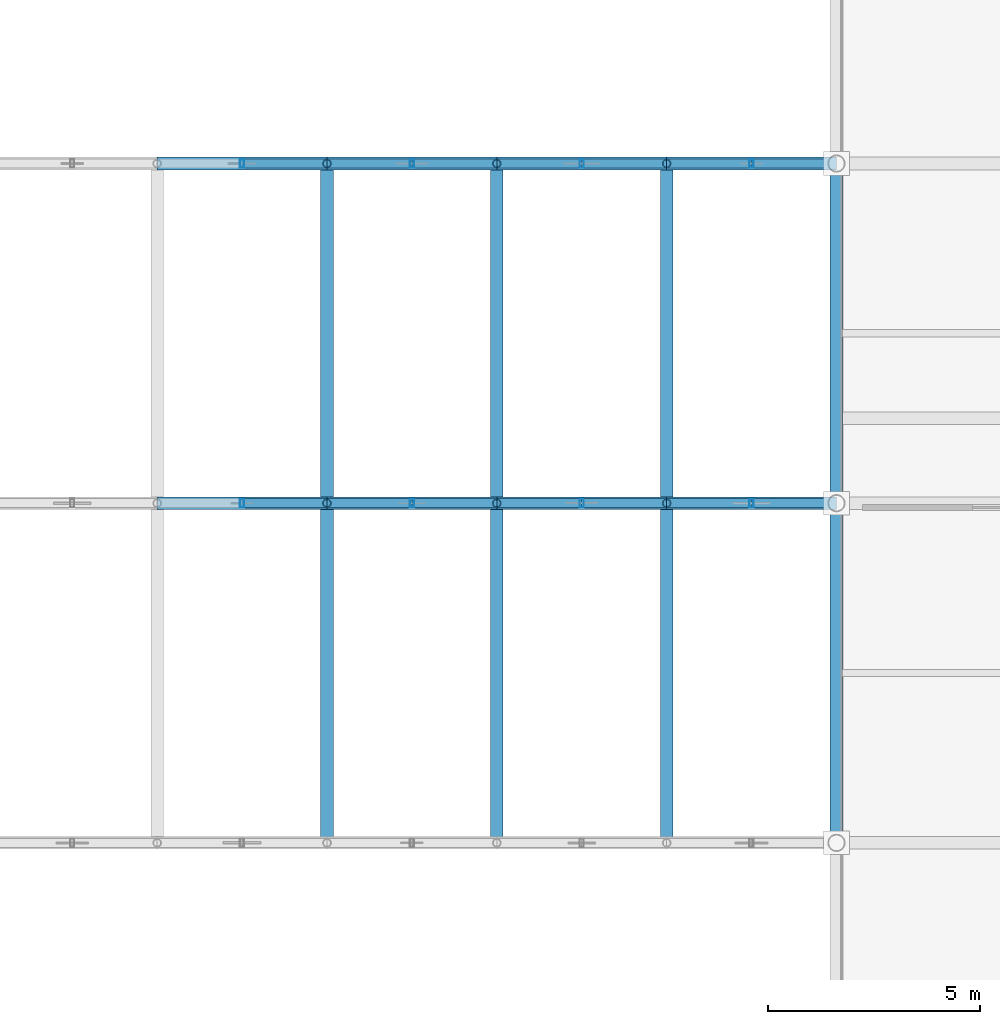
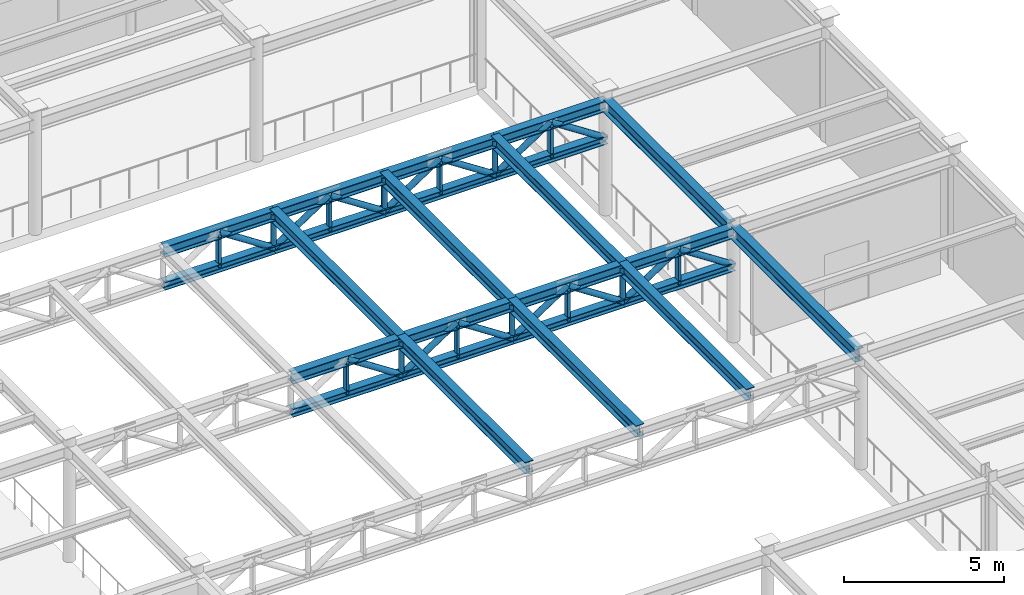
# One storey, part 16 of 46: 44 members, 8 beams.
"""IFC4 building model written with IfcOpenShell, lengths in metres."""

from ifc_helpers import new_model, si_unit, direction, frame, origin, origin_2d, place, context, subcontext, project, spatial, hollow_rectangle, hollow_circle, i_section, extrude, material, material_profile, profile_set, type_object, element, save


model = new_model("IFC4")

# Units and contexts
model_context = context("Model", 3, precision=1e-05, world=origin(), true_north=direction((0.0, 1.0)))
body_context = subcontext(model_context, "Body", "Model", "MODEL_VIEW")
ifc_project = project(units=[si_unit("LENGTHUNIT", "METRE"), si_unit("AREAUNIT", "SQUARE_METRE"), si_unit("VOLUMEUNIT", "CUBIC_METRE"), si_unit("PLANEANGLEUNIT", "RADIAN"), si_unit("MASSUNIT", "GRAM", prefix="KILO")], contexts=[model_context])

# Site, building, storey
site_placement = place(None, origin())
site = spatial("IfcSite", under=ifc_project, at=site_placement, CompositionType="ELEMENT")
building_placement = place(site_placement, origin())
building = spatial("IfcBuilding", under=site, at=building_placement, Name="Tazarka Park Arena", CompositionType="ELEMENT")
storey_placement = place(building_placement, frame((0.0, 0.0, 10.199951171875)))
storey = spatial("IfcBuildingStorey", under=building, at=storey_placement, Name="L02", CompositionType="ELEMENT", Elevation=10.199951171875)

# Beams
ifc_material_1 = material(Name="Steel S355", Category="steel")
ifc_material_profile_1 = material_profile(ifc_material_1, i_section(OverallWidth=0.300048828125, OverallDepth=0.43994140625, WebThickness=0.011474609375, FlangeThickness=0.02099609375, FilletRadius=0.027099609375, at=origin_2d()), Name="Steel S355")
ifc_profile_set_1 = profile_set([ifc_material_profile_1], Name="Steel S355")
beam_type_1 = type_object("IfcBeamType", Name="BM-B-16", PredefinedType="BEAM", material=ifc_profile_set_1)
for number, where, z_axis, x_axis, name in (
    (1, (164.0, 72.0, 4.16015625), (0.0, 1.0, 0.0), (-1.0, 0.0, 0.0), "WTPR-1-3"),
    (2, (168.0, 72.0, 4.16015625), (0.0, 1.0, 0.0), (-1.0, 0.0, 0.0), "WTPR-1-4"),
    (3, (172.0, 72.0, 4.16015625), (0.0, 1.0, 0.0), (-1.0, 0.0, 0.0), "WTPR-1-5"),
    (4, (164.0, 80.0, 4.16015625), (0.0, 1.0, 0.0), (-1.0, 0.0, 0.0), "WTPR-2-3"),
    (5, (168.0, 80.0, 4.16015625), (0.0, 1.0, 0.0), (-1.0, 0.0, 0.0), "WTPR-2-4"),
    (6, (172.0, 80.0, 4.16015625), (0.0, 1.0, 0.0), (-1.0, 0.0, 0.0), "WTPR-2-5"),
):
    element("IfcBeam", number, at=place(storey_placement, frame(where, z_axis=z_axis, x_axis=x_axis)), inside=storey, type_object=beam_type_1, Name=name, PredefinedType="BEAM", context=body_context, shape_type="SweptSolid", body=[
        extrude(i_section(OverallWidth=0.300048828125, OverallDepth=0.43994140625, WebThickness=0.011474609375, FlangeThickness=0.02099609375, FilletRadius=0.027099609375, at=origin_2d()), origin(), (0.0, 0.0, 1.0), 8.0),
    ])
ifc_material_2 = material(Name="Steel S355", Category="steel")
ifc_material_profile_2 = material_profile(ifc_material_2, i_section(OverallWidth=0.300048828125, OverallDepth=0.489990234375, WebThickness=0.011962890625, FlangeThickness=0.02294921875, FilletRadius=0.027099609375, at=origin_2d()), Name="Steel S355")
ifc_profile_set_2 = profile_set([ifc_material_profile_2], Name="Steel S355")
beam_type_2 = type_object("IfcBeamType", Name="BM-SP-02", PredefinedType="SPANDREL", material=ifc_profile_set_2)
for number, where, z_axis, x_axis, name in (
    (7, (176.0, 72.1201171875, 4.175048828125), (0.0, 1.0, 0.0), (-1.0, 0.0, 0.0), "GYM-L02-22-09"),
    (8, (176.0, 80.1201171875, 4.175048828125), (0.0, 1.0, 0.0), (-1.0, 0.0, 0.0), "GYM-L02-22-10"),
):
    element("IfcBeam", number, at=place(storey_placement, frame(where, z_axis=z_axis, x_axis=x_axis)), inside=storey, type_object=beam_type_2, Name=name, PredefinedType="SPANDREL", context=body_context, shape_type="SweptSolid", body=[
        extrude(i_section(OverallWidth=0.300048828125, OverallDepth=0.489990234375, WebThickness=0.011962890625, FlangeThickness=0.02294921875, FilletRadius=0.027099609375, at=origin_2d()), origin(), (0.0, 0.0, 1.0), 7.759765625),
    ])

# Members
ifc_material_3 = material(Name="Steel S355", Category="steel")
ifc_material_profile_3 = material_profile(ifc_material_3, hollow_circle(Radius=0.109619140625, WallThickness=0.010009765625, at=origin_2d()), Name="Steel S355")
ifc_profile_set_3 = profile_set([ifc_material_profile_3], Name="Steel S355")
member_type_1 = type_object("IfcMemberType", Name="MEM-BR-02", PredefinedType="BRACE", material=ifc_profile_set_3)
for number, where, z_axis, x_axis, name in (
    (9, (162.0, 80.0, 4.16015625), (0.836516005166, 0.0, -0.547942490688), (0.0, 1.0, 0.0), "WTD-B-2-2"),
    (10, (164.0, 80.0, 2.85009765625), (0.836516005166, 0.0, 0.547942490688), (0.0, 1.0, 0.0), "WTD-A-2-3"),
    (11, (166.0, 80.0, 4.16015625), (0.836516005166, 0.0, -0.547942490688), (0.0, 1.0, 0.0), "WTD-B-2-3"),
    (12, (168.0, 80.0, 2.85009765625), (0.836516005166, 0.0, 0.547942490688), (0.0, 1.0, 0.0), "WTD-A-2-4"),
    (13, (170.0, 80.0, 4.16015625), (0.836516005166, 0.0, -0.547942490688), (0.0, 1.0, 0.0), "WTD-B-2-4"),
    (14, (172.0, 80.0, 2.85009765625), (0.836516005166, 0.0, 0.547942490688), (0.0, 1.0, 0.0), "WTD-A-2-5"),
    (15, (174.0, 80.0, 4.16015625), (0.836516005166, 0.0, -0.547942490688), (0.0, 1.0, 0.0), "WTD-B-2-5"),
    (16, (162.0, 88.0, 4.16015625), (0.836516005166, 0.0, -0.547942490688), (0.0, 1.0, 0.0), "WTD-B-3-2"),
    (17, (164.0, 88.0, 2.85009765625), (0.836516005166, 0.0, 0.547942490688), (0.0, 1.0, 0.0), "WTD-A-3-3"),
    (18, (166.0, 88.0, 4.16015625), (0.836516005166, 0.0, -0.547942490688), (0.0, 1.0, 0.0), "WTD-B-3-3"),
    (19, (168.0, 88.0, 2.85009765625), (0.836516005166, 0.0, 0.547942490688), (0.0, 1.0, 0.0), "WTD-A-3-4"),
    (20, (170.0, 88.0, 4.16015625), (0.836516005166, 0.0, -0.547942490688), (0.0, 1.0, 0.0), "WTD-B-3-4"),
    (21, (172.0, 88.0, 2.85009765625), (0.836516005166, 0.0, 0.547942490688), (0.0, 1.0, 0.0), "WTD-A-3-5"),
    (22, (174.0, 88.0, 4.16015625), (0.836516005166, 0.0, -0.547942490688), (0.0, 1.0, 0.0), "WTD-B-3-5"),
):
    element("IfcMember", number, at=place(storey_placement, frame(where, z_axis=z_axis, x_axis=x_axis)), inside=storey, type_object=member_type_1, Name=name, PredefinedType="BRACE", context=body_context, shape_type="SweptSolid", body=[
        extrude(hollow_circle(Radius=0.109619140625, WallThickness=0.010009765625, at=origin_2d()), origin(), (0.0, 0.0, 1.0), 2.390869140625),
    ])
ifc_material_4 = material(Name="Steel S355", Category="steel")
ifc_material_profile_4 = material_profile(ifc_material_4, i_section(OverallWidth=0.300048828125, OverallDepth=0.300048828125, WebThickness=0.010986328125, FlangeThickness=0.01904296875, FilletRadius=0.027099609375, at=origin_2d()), Name="Steel S355")
ifc_profile_set_4 = profile_set([ifc_material_profile_4], Name="Steel S355")
member_type_2 = type_object("IfcMemberType", Name="MEM-CH-01", PredefinedType="CHORD", material=ifc_profile_set_4)
for number, where, z_axis, x_axis, name in (
    (23, (160.0, 80.0, 2.85009765625), (1.0, 0.0, 0.0), (0.0, 1.0, 0.0), "WTC-B-2-2"),
    (24, (164.0, 80.0, 2.85009765625), (1.0, 0.0, 0.0), (0.0, 1.0, 0.0), "WTC-B-2-3"),
    (25, (168.0, 80.0, 2.85009765625), (1.0, 0.0, 0.0), (0.0, 1.0, 0.0), "WTC-B-2-4"),
    (26, (172.0, 80.0, 2.85009765625), (1.0, 0.0, 0.0), (0.0, 1.0, 0.0), "WTC-B-2-5"),
    (27, (160.0, 88.0, 2.85009765625), (1.0, 0.0, 0.0), (0.0, 1.0, 0.0), "WTC-B-3-2"),
    (28, (164.0, 88.0, 2.85009765625), (1.0, 0.0, 0.0), (0.0, 1.0, 0.0), "WTC-B-3-3"),
    (29, (168.0, 88.0, 2.85009765625), (1.0, 0.0, 0.0), (0.0, 1.0, 0.0), "WTC-B-3-4"),
    (30, (172.0, 88.0, 2.85009765625), (1.0, 0.0, 0.0), (0.0, 1.0, 0.0), "WTC-B-3-5"),
):
    element("IfcMember", number, at=place(storey_placement, frame(where, z_axis=z_axis, x_axis=x_axis)), inside=storey, type_object=member_type_2, Name=name, PredefinedType="CHORD", context=body_context, shape_type="SweptSolid", body=[
        extrude(i_section(OverallWidth=0.300048828125, OverallDepth=0.300048828125, WebThickness=0.010986328125, FlangeThickness=0.01904296875, FilletRadius=0.027099609375, at=origin_2d()), origin(), (0.0, 0.0, 1.0), 4.0),
    ])
ifc_material_5 = material(Name="Steel S355", Category="steel")
ifc_material_profile_5 = material_profile(ifc_material_5, i_section(OverallWidth=0.300048828125, OverallDepth=0.39990234375, WebThickness=0.013427734375, FlangeThickness=0.02392578125, FilletRadius=0.027099609375, at=origin_2d()), Name="Steel S355")
ifc_profile_set_5 = profile_set([ifc_material_profile_5], Name="Steel S355")
member_type_3 = type_object("IfcMemberType", Name="MEM-CH-02", PredefinedType="CHORD", material=ifc_profile_set_5)
for number, where, z_axis, x_axis, name in (
    (31, (160.0, 80.0, 4.16015625), (1.0, 0.0, 0.0), (0.0, 1.0, 0.0), "WTC-T-2-2"),
    (32, (164.0, 80.0, 4.16015625), (1.0, 0.0, 0.0), (0.0, 1.0, 0.0), "WTC-T-2-3"),
    (33, (168.0, 80.0, 4.16015625), (1.0, 0.0, 0.0), (0.0, 1.0, 0.0), "WTC-T-2-4"),
    (34, (172.0, 80.0, 4.16015625), (1.0, 0.0, 0.0), (0.0, 1.0, 0.0), "WTC-T-2-5"),
    (35, (160.0, 88.0, 4.16015625), (1.0, 0.0, 0.0), (0.0, 1.0, 0.0), "WTC-T-3-2"),
    (36, (164.0, 88.0, 4.16015625), (1.0, 0.0, 0.0), (0.0, 1.0, 0.0), "WTC-T-3-3"),
    (37, (168.0, 88.0, 4.16015625), (1.0, 0.0, 0.0), (0.0, 1.0, 0.0), "WTC-T-3-4"),
    (38, (172.0, 88.0, 4.16015625), (1.0, 0.0, 0.0), (0.0, 1.0, 0.0), "WTC-T-3-5"),
):
    element("IfcMember", number, at=place(storey_placement, frame(where, z_axis=z_axis, x_axis=x_axis)), inside=storey, type_object=member_type_3, Name=name, PredefinedType="CHORD", context=body_context, shape_type="SweptSolid", body=[
        extrude(i_section(OverallWidth=0.300048828125, OverallDepth=0.39990234375, WebThickness=0.013427734375, FlangeThickness=0.02392578125, FilletRadius=0.027099609375, at=origin_2d()), origin(), (0.0, 0.0, 1.0), 4.0),
    ])
ifc_material_6 = material(Name="Steel S355", Category="steel")
ifc_material_profile_6 = material_profile(ifc_material_6, hollow_rectangle(XDim=0.10009765625, YDim=0.199951171875, WallThickness=0.008056640625, at=origin_2d()), Name="Steel S355")
ifc_profile_set_6 = profile_set([ifc_material_profile_6], Name="Steel S355")
member_type_4 = type_object("IfcMemberType", Name="MEM-PT-01", PredefinedType="POST", material=ifc_profile_set_6)
for number, where, z_axis, x_axis, name in (
    (39, (162.0, 80.0, 2.85009765625), (0.0, 0.0, 1.0), (1.0, 0.0, 0.0), "WTP-2-2"),
    (40, (166.0, 80.0, 2.85009765625), (0.0, 0.0, 1.0), (1.0, 0.0, 0.0), "WTP-2-3"),
    (41, (170.0, 80.0, 2.85009765625), (0.0, 0.0, 1.0), (1.0, 0.0, 0.0), "WTP-2-4"),
    (42, (174.0, 80.0, 2.85009765625), (0.0, 0.0, 1.0), (1.0, 0.0, 0.0), "WTP-2-5"),
    (43, (162.0, 88.0, 2.85009765625), (0.0, 0.0, 1.0), (1.0, 0.0, 0.0), "WTP-3-2"),
    (44, (166.0, 88.0, 2.85009765625), (0.0, 0.0, 1.0), (1.0, 0.0, 0.0), "WTP-3-3"),
    (45, (170.0, 88.0, 2.85009765625), (0.0, 0.0, 1.0), (1.0, 0.0, 0.0), "WTP-3-4"),
    (46, (174.0, 88.0, 2.85009765625), (0.0, 0.0, 1.0), (1.0, 0.0, 0.0), "WTP-3-5"),
):
    element("IfcMember", number, at=place(storey_placement, frame(where, z_axis=z_axis, x_axis=x_axis)), inside=storey, type_object=member_type_4, Name=name, PredefinedType="POST", context=body_context, shape_type="SweptSolid", body=[
        extrude(hollow_rectangle(XDim=0.10009765625, YDim=0.199951171875, WallThickness=0.008056640625, at=origin_2d()), origin(), (0.0, 0.0, 1.0), 1.31005859375),
    ])
ifc_material_7 = material(Name="Steel S355", Category="steel")
ifc_material_profile_7 = material_profile(ifc_material_7, hollow_circle(Radius=0.096923828125, WallThickness=0.010009765625, at=origin_2d()), Name="Steel S355")
ifc_profile_set_7 = profile_set([ifc_material_profile_7], Name="Steel S355")
member_type_5 = type_object("IfcMemberType", Name="MEM-PT-03", PredefinedType="POST", material=ifc_profile_set_7)
for number, where, z_axis, x_axis, name in (
    (47, (164.0, 80.0, 2.85009765625), (0.0, 0.0, 1.0), (1.0, 0.0, 0.0), "WTPN-2-3"),
    (48, (168.0, 80.0, 2.85009765625), (0.0, 0.0, 1.0), (1.0, 0.0, 0.0), "WTPN-2-4"),
    (49, (172.0, 80.0, 2.85009765625), (0.0, 0.0, 1.0), (1.0, 0.0, 0.0), "WTPN-2-5"),
    (50, (164.0, 88.0, 2.85009765625), (0.0, 0.0, 1.0), (1.0, 0.0, 0.0), "WTPN-3-3"),
    (51, (168.0, 88.0, 2.85009765625), (0.0, 0.0, 1.0), (1.0, 0.0, 0.0), "WTPN-3-4"),
    (52, (172.0, 88.0, 2.85009765625), (0.0, 0.0, 1.0), (1.0, 0.0, 0.0), "WTPN-3-5"),
):
    element("IfcMember", number, at=place(storey_placement, frame(where, z_axis=z_axis, x_axis=x_axis)), inside=storey, type_object=member_type_5, Name=name, PredefinedType="POST", context=body_context, shape_type="SweptSolid", body=[
        extrude(hollow_circle(Radius=0.096923828125, WallThickness=0.010009765625, at=origin_2d()), origin(), (0.0, 0.0, 1.0), 1.31005859375),
    ])

save(model, "model.ifc")
